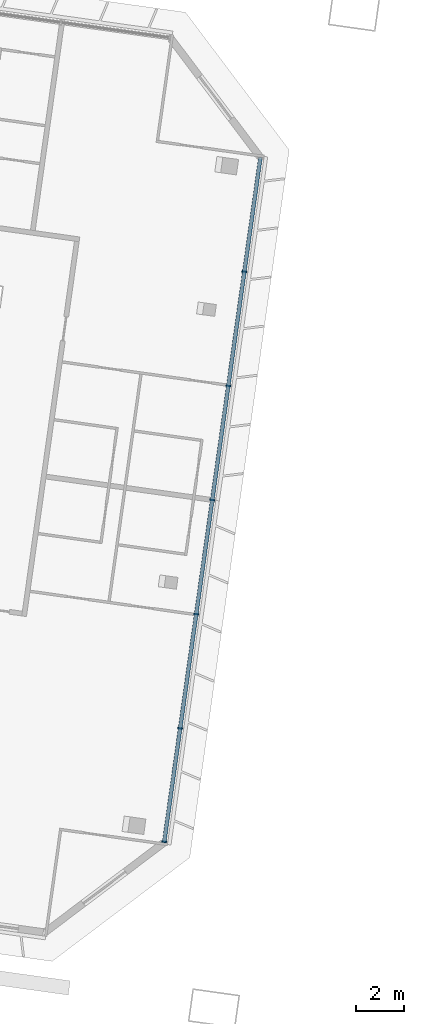
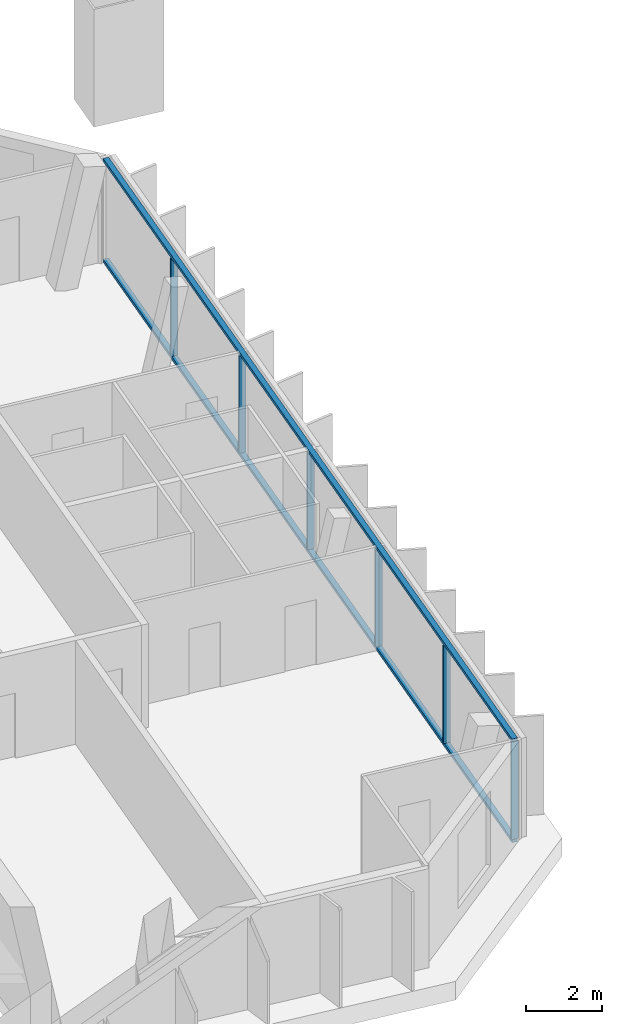
# One storey, part 4 of 28: 8 members, 1 element without a shape of its own.
"""IFC4 building model written with IfcOpenShell, lengths in metres."""

from ifc_helpers import new_model, si_unit, direction, frame, origin, origin_2d, place, context, subcontext, project, spatial, rectangle, extrude, material, material_profile, profile_set, type_object, element, aggregate, save


model = new_model("IFC4")

# Units and contexts
model_context = context("Model", 3, precision=1e-05, world=origin(), true_north=direction((0.0, 1.0)))
body_context = subcontext(model_context, "Body", "Model", "MODEL_VIEW")
ifc_project = project(units=[si_unit("LENGTHUNIT", "METRE"), si_unit("AREAUNIT", "SQUARE_METRE"), si_unit("VOLUMEUNIT", "CUBIC_METRE"), si_unit("PLANEANGLEUNIT", "RADIAN"), si_unit("MASSUNIT", "GRAM", prefix="KILO")], contexts=[model_context])

# Site, building, storey
site_placement = place(None, origin())
site = spatial("IfcSite", under=ifc_project, at=site_placement, CompositionType="ELEMENT")
building_placement = place(site_placement, origin())
building = spatial("IfcBuilding", under=site, at=building_placement, Name="Mirante Cascada Hotel Towers", CompositionType="ELEMENT")
storey_placement = place(building_placement, frame((0.0, 0.0, 243.2)))
storey = spatial("IfcBuildingStorey", under=building, at=storey_placement, Name="L58", CompositionType="ELEMENT", Elevation=243.2)

# Curtain wall, members
ifc_material_1 = material(Name="Aluminium mullion and transom frame with clear laminated glass", Category="aluminium")
curtain_wall_type = type_object("IfcCurtainWallType", Name="End ribbon curtain wall ECW2", PredefinedType="NOTDEFINED", material=ifc_material_1)
curtain_wall_placement = place(storey_placement, origin())
curtain_wall = element("IfcCurtainWall", 1, at=curtain_wall_placement, inside=storey, type_object=curtain_wall_type, Name="Inner end wall T1 L58", PredefinedType="NOTDEFINED")
ifc_material_2 = material(Name="Anodised aluminium extrusion", Category="aluminium")
ifc_material_profile_1 = material_profile(ifc_material_2, rectangle(XDim=0.2, YDim=0.065, at=origin_2d()), Name="ECW2 MULLION 65x200")
ifc_profile_set_1 = profile_set([ifc_material_profile_1], Name="Anodised aluminium extrusion")
member_type_1 = type_object("IfcMemberType", Name="ECW2 mullion 65x200", PredefinedType="MULLION", material=ifc_profile_set_1)
member_1_placement = place(storey_placement, frame((-18.8567, 6.1538, 0.1), z_axis=(0.0, 0.0, 1.0), x_axis=(0.9902681, -0.1391731, 0.0)))
member_1 = element("IfcMember", 2, at=member_1_placement, type_object=member_type_1, Name="ECW2 mullion 2", PredefinedType="MULLION", context=body_context, shape_type="SweptSolid", body=[
    extrude(rectangle(XDim=0.2, YDim=0.065, at=origin_2d()), origin(), (0.0, 0.0, 1.0), 3.15),
])
member_2_placement = place(storey_placement, frame((-19.5265, 1.388, 0.1), z_axis=(0.0, 0.0, 1.0), x_axis=(0.9902681, -0.1391731, 0.0)))
member_2 = element("IfcMember", 3, at=member_2_placement, type_object=member_type_1, Name="ECW2 mullion 3", PredefinedType="MULLION", context=body_context, shape_type="SweptSolid", body=[
    extrude(rectangle(XDim=0.2, YDim=0.065, at=origin_2d()), origin(), (0.0, 0.0, 1.0), 3.15),
])
member_3_placement = place(storey_placement, frame((-20.1963, -3.3778, 0.1), z_axis=(0.0, 0.0, 1.0), x_axis=(0.9902681, -0.1391731, 0.0)))
member_3 = element("IfcMember", 4, at=member_3_placement, type_object=member_type_1, Name="ECW2 mullion 4", PredefinedType="MULLION", context=body_context, shape_type="SweptSolid", body=[
    extrude(rectangle(XDim=0.2, YDim=0.065, at=origin_2d()), origin(), (0.0, 0.0, 1.0), 3.15),
])
member_4_placement = place(storey_placement, frame((-20.8661, -8.1436, 0.1), z_axis=(0.0, 0.0, 1.0), x_axis=(0.9902681, -0.1391731, 0.0)))
member_4 = element("IfcMember", 5, at=member_4_placement, type_object=member_type_1, Name="ECW2 mullion 5", PredefinedType="MULLION", context=body_context, shape_type="SweptSolid", body=[
    extrude(rectangle(XDim=0.2, YDim=0.065, at=origin_2d()), origin(), (0.0, 0.0, 1.0), 3.15),
])
member_5_placement = place(storey_placement, frame((-21.5359, -12.9094, 0.1), z_axis=(0.0, 0.0, 1.0), x_axis=(0.9902681, -0.1391731, 0.0)))
member_5 = element("IfcMember", 6, at=member_5_placement, type_object=member_type_1, Name="ECW2 mullion 6", PredefinedType="MULLION", context=body_context, shape_type="SweptSolid", body=[
    extrude(rectangle(XDim=0.2, YDim=0.065, at=origin_2d()), origin(), (0.0, 0.0, 1.0), 3.15),
])
member_6_placement = place(storey_placement, frame((-22.2011, -17.643, 0.1), z_axis=(0.0, 0.0, 1.0), x_axis=(0.9902681, -0.1391731, 0.0)))
member_6 = element("IfcMember", 7, at=member_6_placement, type_object=member_type_1, Name="ECW2 mullion 7", PredefinedType="MULLION", context=body_context, shape_type="SweptSolid", body=[
    extrude(rectangle(XDim=0.2, YDim=0.065, at=origin_2d()), origin(), (0.0, 0.0, 1.0), 3.15),
])
ifc_material_3 = material(Name="Anodised aluminium extrusion", Category="aluminium")
ifc_material_profile_2 = material_profile(ifc_material_3, rectangle(XDim=0.16, YDim=0.1, at=origin_2d()), Name="ECW2 TRANSOM 100x160")
ifc_profile_set_2 = profile_set([ifc_material_profile_2], Name="Anodised aluminium extrusion")
member_type_2 = type_object("IfcMemberType", Name="ECW2 transom 100x160", PredefinedType="USERDEFINED", material=ifc_profile_set_2)
member_7_placement = place(storey_placement, frame((-18.1869, 10.9195, 0.05), z_axis=(-0.1391723, -0.9902682, 0.0), x_axis=(0.9902682, -0.1391723, 0.0)))
member_7 = element("IfcMember", 8, at=member_7_placement, type_object=member_type_2, Name="ECW2 sill transom", ObjectType="TRANSOM", PredefinedType="USERDEFINED", context=body_context, shape_type="SweptSolid", body=[
    extrude(rectangle(XDim=0.16, YDim=0.1, at=origin_2d()), origin(), (0.0, 0.0, 1.0), 28.8757),
])
member_8_placement = place(storey_placement, frame((-18.1869, 10.9195, 3.3), z_axis=(-0.1391723, -0.9902682, 0.0), x_axis=(0.9902682, -0.1391723, 0.0)))
member_8 = element("IfcMember", 9, at=member_8_placement, type_object=member_type_2, Name="ECW2 head transom", ObjectType="TRANSOM", PredefinedType="USERDEFINED", context=body_context, shape_type="SweptSolid", body=[
    extrude(rectangle(XDim=0.16, YDim=0.1, at=origin_2d()), origin(), (0.0, 0.0, 1.0), 28.8757),
])
aggregate(curtain_wall, [member_7, member_8, member_1, member_2, member_3, member_4, member_5, member_6])

save(model, "model.ifc")
